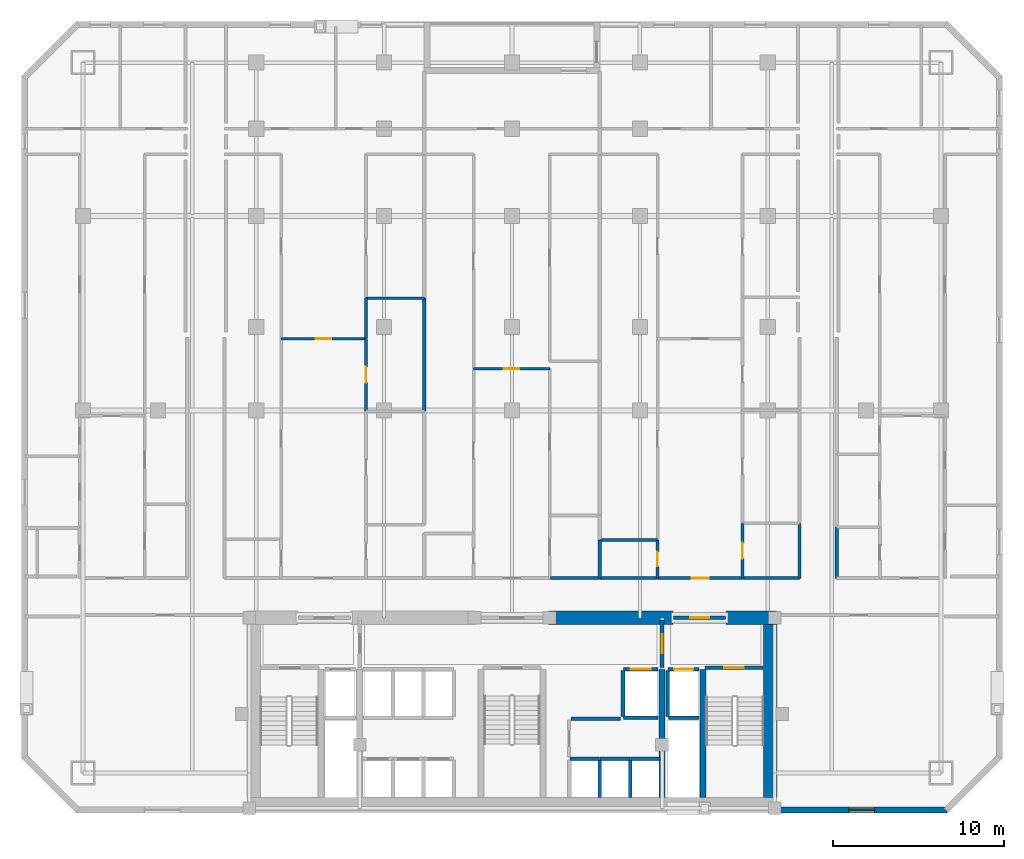
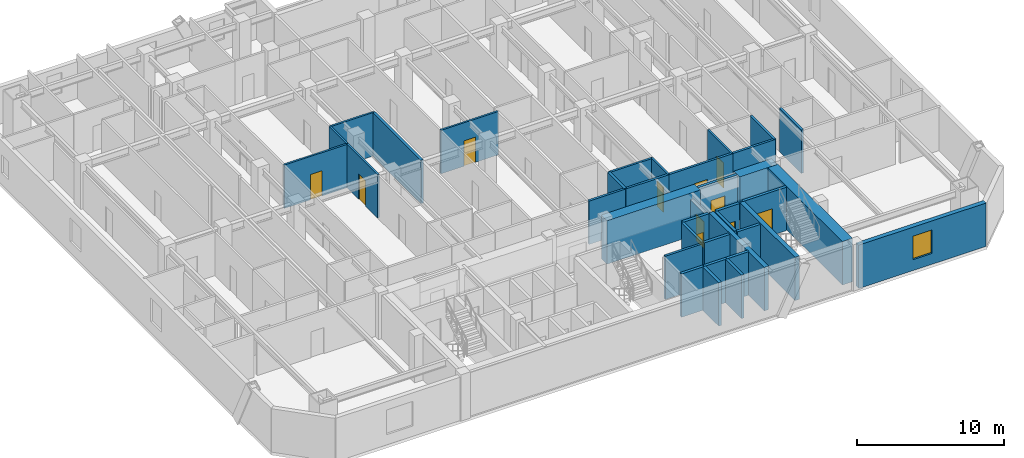
# One storey, part 5 of 10: 37 walls, 11 doors, 1 window, 12 openings.
"""IFC4 building model written with IfcOpenShell, lengths in metres."""

from ifc_helpers import new_model, si_unit, direction, frame, frame_2d, origin, place, context, subcontext, project, spatial, rectangle, extrude, material, layer, layer_set, type_object, element, fill, save


model = new_model("IFC4")

# Units and contexts
model_context = context("Model", 3, precision=1e-05, world=origin(), true_north=direction((0.0, 1.0)))
body_context = subcontext(model_context, "Body", "Model", "MODEL_VIEW")
ifc_project = project(units=[si_unit("LENGTHUNIT", "METRE"), si_unit("AREAUNIT", "SQUARE_METRE"), si_unit("VOLUMEUNIT", "CUBIC_METRE"), si_unit("PLANEANGLEUNIT", "RADIAN"), si_unit("MASSUNIT", "GRAM", prefix="KILO")], contexts=[model_context])

# Site, building, storey
site_placement = place(None, origin())
site = spatial("IfcSite", under=ifc_project, at=site_placement, CompositionType="ELEMENT")
building_placement = place(site_placement, origin())
building = spatial("IfcBuilding", under=site, at=building_placement, Name="Ventersveld Concourse Tower", CompositionType="ELEMENT")
storey_placement = place(building_placement, frame((0.0, 0.0, 49.050048828125)))
storey = spatial("IfcBuildingStorey", under=building, at=storey_placement, Name="L11", CompositionType="ELEMENT", Elevation=49.050048828125)

# Walls
ifc_material_1 = material(Name="Concrete C60/75", Category="concrete")
ifc_layer_1 = layer(ifc_material_1, 0.35009765625)
ifc_layer_set_1 = layer_set([ifc_layer_1], Name="Concrete C60/75")
wall_type_1 = type_object("IfcWallType", Name="WL-CORE-350L", PredefinedType="SHEAR", material=ifc_layer_set_1)
for number, where, z_axis, x_axis, name in (
    (1, (37.550048828125, 0.919921875, 0.0), (0.0, 0.0, 1.0), (0.0, 1.0, 0.0), "L11 Core Internal Shear Web W-SVL-W"),
    (2, (39.9599609375, 0.919921875, 0.0), (0.0, 0.0, 1.0), (0.0, 1.0, 0.0), "L11 Core Internal Shear Web W-ST2-W"),
):
    element("IfcWall", number, at=place(storey_placement, frame(where, z_axis=z_axis, x_axis=x_axis)), inside=storey, type_object=wall_type_1, Name=name, PredefinedType="SHEAR", context=body_context, shape_type="SweptSolid", body=[
        extrude(rectangle(XDim=7.5, YDim=0.35009765625, at=frame_2d((3.75, 0.0))), origin(), (0.0, 0.0, 1.0), 3.599853515625),
    ])
ifc_layer_2 = layer(ifc_material_1, 0.800048828125)
ifc_layer_set_2 = layer_set([ifc_layer_2], Name="Concrete C60/75")
wall_type_2 = type_object("IfcWallType", Name="WL-CORE-800", PredefinedType="SHEAR", material=ifc_layer_set_2)
wall_1_placement = place(storey_placement, frame((43.89990234375, 0.919921875, 0.0), z_axis=(0.0, 0.0, 1.0), x_axis=(0.0, 1.0, 0.0)))
element("IfcWall", 3, at=wall_1_placement, inside=storey, type_object=wall_type_2, Name="L11 Rear Core East Shear Wall", PredefinedType="SHEAR", context=body_context, shape_type="SweptSolid", body=[
    extrude(rectangle(XDim=10.530029296875, YDim=0.800048828125, at=frame_2d((5.26513671875, 0.0))), origin(), (0.0, 0.0, 1.0), 3.599853515625),
])
wall_2_placement = place(storey_placement, frame((30.89990234375, 11.449951171875, 0.0), z_axis=(0.0, 0.0, 1.0), x_axis=(1.0, 0.0, 0.0)))
element("IfcWall", 4, at=wall_2_placement, inside=storey, type_object=wall_type_2, Name="L11 Rear Core North Shear Wall NMR", PredefinedType="SHEAR", context=body_context, shape_type="SweptSolid", body=[
    extrude(rectangle(XDim=7.300048828125, YDim=0.800048828125, at=frame_2d((3.64990234375, 0.0))), origin(), (0.0, 0.0, 1.0), 3.599853515625),
])
wall_3_placement = place(storey_placement, frame((41.300048828125, 11.449951171875, 0.0), z_axis=(0.0, 0.0, 1.0), x_axis=(1.0, 0.0, 0.0)))
element("IfcWall", 5, at=wall_3_placement, inside=storey, type_object=wall_type_2, Name="L11 Rear Core North Shear Wall NE", PredefinedType="SHEAR", context=body_context, shape_type="SweptSolid", body=[
    extrude(rectangle(XDim=2.949951171875, YDim=0.800048828125, at=frame_2d((1.47509765625, 0.0))), origin(), (0.0, 0.0, 1.0), 3.599853515625),
])
ifc_material_2 = material(Name="Fire-rated autoclaved aerated masonry blockwork", Category="masonry")
ifc_layer_3 = layer(ifc_material_2, 0.179931640625)
ifc_layer_set_3 = layer_set([ifc_layer_3], Name="Fire-rated autoclaved aerated masonry blockwork")
wall_type_3 = type_object("IfcWallType", Name="WL-CORR-180", PredefinedType="PARTITIONING", material=ifc_layer_set_3)
wall_4_placement = place(storey_placement, frame((32.219970703125, 5.530029296875, 0.0), z_axis=(0.0, 0.0, 1.0), x_axis=(1.0, 0.0, 0.0)))
element("IfcWall", 6, at=wall_4_placement, inside=storey, type_object=wall_type_3, Name="L11 Core Top Wall SP-L11-CBAY2", PredefinedType="PARTITIONING", context=body_context, shape_type="SweptSolid", body=[
    extrude(rectangle(XDim=2.900146484375, YDim=0.179931640625, at=frame_2d((1.4501953125, 0.0))), origin(), (0.0, 0.0, 1.0), 3.599853515625),
])
wall_5_placement = place(storey_placement, frame((47.7900390625, 13.764892578125, 0.0), z_axis=(0.0, 0.0, 1.0), x_axis=(0.0, 1.0, 0.0)))
element("IfcWall", 7, at=wall_5_placement, inside=storey, type_object=wall_type_3, Name="L11 Interior Partition SP-L11-COR-SP-L11-11NE-BATH", PredefinedType="PARTITIONING", context=body_context, shape_type="SweptSolid", body=[
    extrude(rectangle(XDim=2.999755859375, YDim=0.179931640625, at=frame_2d((1.5, 0.0))), origin(), (0.0, 0.0, 1.0), 3.599853515625),
])

# Wall, opening, door
wall_6_placement = place(storey_placement, frame((37.279052734375, 13.77001953125, 0.0), z_axis=(0.0, 0.0, 1.0), x_axis=(1.0, 0.0, 0.0)))
wall_6 = element("IfcWall", 8, at=wall_6_placement, inside=storey, type_object=wall_type_3, Name="L11 Interior Partition SP-L11-COR-SP-L11-11CE-FOY", PredefinedType="PARTITIONING", context=body_context, shape_type="SweptSolid", body=[
    extrude(rectangle(XDim=4.989990234375, YDim=0.179931640625, at=frame_2d((2.4951171875, 0.0))), origin(), (0.0, 0.0, 1.0), 3.599853515625),
])
opening_1_placement = place(wall_6_placement, frame((1.9951171875, 0.0, 0.0)))
opening_1 = element("IfcOpeningElement", 9, at=opening_1_placement, cuts=wall_6, Name="Opening FD3", PredefinedType="OPENING", context=body_context, shape_type="SweptSolid", body=[
    extrude(rectangle(XDim=1.0, YDim=2.14990234375, at=frame_2d((0.5, 1.074951171875))), frame((0.0, 0.10009765625, 0.0), z_axis=(0.0, -1.0, 0.0), x_axis=(1.0, 0.0, 0.0)), (0.0, 0.0, 1.0), 0.199951171875),
])
ifc_material_3 = material(Name="Solid-core hardwood veneer timber", Category="wood")
door_type_1 = type_object("IfcDoorType", Name="DR-FLAT-100", OperationType="NOTDEFINED", PredefinedType="DOOR", material=ifc_material_3)
door_1_placement = place(opening_1_placement, origin())
door_1 = element("IfcDoor", 10, at=door_1_placement, inside=storey, type_object=door_type_1, Name="L11 Interior Door SP-L11-COR to SP-L11-11CE-FOY (FD-L11-0425)", OperationType="SINGLE_SWING_LEFT", OverallHeight=2.14990234375, OverallWidth=1.0, PredefinedType="DOOR", context=body_context, shape_type="SweptSolid", body=[
    extrude(rectangle(XDim=1.0, YDim=2.14990234375, at=frame_2d((0.5, 1.074951171875))), frame((0.0, 0.02490234375, 0.0), z_axis=(0.0, -1.0, 0.0), x_axis=(1.0, 0.0, 0.0)), (0.0, 0.0, 1.0), 0.050048828125),
])
fill(opening_1, door_1)

# Walls
wall_7_placement = place(storey_placement, frame((33.885009765625, 13.77001953125, 0.0), z_axis=(0.0, 0.0, 1.0), x_axis=(1.0, 0.0, 0.0)))
element("IfcWall", 11, at=wall_7_placement, inside=storey, type_object=wall_type_3, Name="L11 Interior Partition SP-L11-COR-SP-L11-11CE-BATH", PredefinedType="PARTITIONING", context=body_context, shape_type="SweptSolid", body=[
    extrude(rectangle(XDim=3.364013671875, YDim=0.179931640625, at=frame_2d((1.68212890625, 0.0))), origin(), (0.0, 0.0, 1.0), 3.599853515625),
])
wall_8_placement = place(storey_placement, frame((42.299072265625, 13.77001953125, 0.0), z_axis=(0.0, 0.0, 1.0), x_axis=(1.0, 0.0, 0.0)))
element("IfcWall", 12, at=wall_8_placement, inside=storey, type_object=wall_type_3, Name="L11 Interior Partition SP-L11-COR-SP-L11-11CE-KIT", PredefinedType="PARTITIONING", context=body_context, shape_type="SweptSolid", body=[
    extrude(rectangle(XDim=3.31591796875, YDim=0.179931640625, at=frame_2d((1.657958984375, 0.0))), origin(), (0.0, 0.0, 1.0), 3.599853515625),
])
wall_9_placement = place(storey_placement, frame((45.610107421875, 13.764892578125, 0.0), z_axis=(0.0, 0.0, 1.0), x_axis=(0.0, 1.0, 0.0)))
element("IfcWall", 13, at=wall_9_placement, inside=storey, type_object=wall_type_3, Name="L11 Interior Partition SP-L11-COR-SP-L11-11CE-KIT", PredefinedType="PARTITIONING", context=body_context, shape_type="SweptSolid", body=[
    extrude(rectangle(XDim=3.222412109375, YDim=0.179931640625, at=frame_2d((1.611328125, 0.0))), origin(), (0.0, 0.0, 1.0), 3.599853515625),
])
wall_10_placement = place(storey_placement, frame((30.9970703125, 13.77001953125, 0.0), z_axis=(0.0, 0.0, 1.0), x_axis=(1.0, 0.0, 0.0)))
element("IfcWall", 14, at=wall_10_placement, inside=storey, type_object=wall_type_3, Name="L11 Interior Partition SP-L11-COR-SP-L11-11CM-KIT", PredefinedType="PARTITIONING", context=body_context, shape_type="SweptSolid", body=[
    extrude(rectangle(XDim=2.85791015625, YDim=0.179931640625, at=frame_2d((1.428955078125, 0.0))), origin(), (0.0, 0.0, 1.0), 3.599853515625),
])
ifc_layer_4 = layer(ifc_material_2, 0.199951171875)
ifc_layer_set_4 = layer_set([ifc_layer_4], Name="Fire-rated autoclaved aerated masonry blockwork")
wall_type_4 = type_object("IfcWallType", Name="WL-DEMISE-200", PredefinedType="PARTITIONING", material=ifc_layer_set_4)
wall_11_placement = place(storey_placement, frame((23.610107421875, 23.582763671875, 0.0), z_axis=(0.0, 0.0, 1.0), x_axis=(0.0, 1.0, 0.0)))
element("IfcWall", 15, at=wall_11_placement, inside=storey, type_object=wall_type_4, Name="L11 Interior Partition SP-L11-11CW-DENS-SP-L11-11CM-DENL", PredefinedType="PARTITIONING", context=body_context, shape_type="SweptSolid", body=[
    extrude(rectangle(XDim=6.602783203125, YDim=0.199951171875, at=frame_2d((3.30126953125, 0.0))), origin(), (0.0, 0.0, 1.0), 3.599853515625),
])
wall_12_placement = place(storey_placement, frame((33.889892578125, 13.764892578125, 0.0), z_axis=(0.0, 0.0, 1.0), x_axis=(0.0, 1.0, 0.0)))
element("IfcWall", 16, at=wall_12_placement, inside=storey, type_object=wall_type_4, Name="L11 Interior Partition SP-L11-11CE-BATH-SP-L11-11CM-KIT", PredefinedType="PARTITIONING", context=body_context, shape_type="SweptSolid", body=[
    extrude(rectangle(XDim=2.24365234375, YDim=0.199951171875, at=frame_2d((1.121826171875, 0.0))), origin(), (0.0, 0.0, 1.0), 3.599853515625),
])
ifc_layer_5 = layer(ifc_material_2, 0.219970703125)
ifc_layer_set_5 = layer_set([ifc_layer_5], Name="Fire-rated autoclaved aerated masonry blockwork")
wall_type_5 = type_object("IfcWallType", Name="WL-HOIST-220", PredefinedType="SOLIDWALL", material=ifc_layer_set_5)
wall_13_placement = place(storey_placement, frame((37.919921875, 5.590087890625, 0.0), z_axis=(0.0, 0.0, 1.0), x_axis=(1.0, 0.0, 0.0)))
element("IfcWall", 17, at=wall_13_placement, inside=storey, type_object=wall_type_5, Name="L11 Lift Hoistway Back Wall FFL-02", PredefinedType="SOLIDWALL", context=body_context, shape_type="SweptSolid", body=[
    extrude(rectangle(XDim=1.780029296875, YDim=0.219970703125, at=frame_2d((0.89013671875, 0.0))), origin(), (0.0, 0.0, 1.0), 3.599853515625),
])
wall_14_placement = place(storey_placement, frame((37.8798828125, 5.64990234375, 0.0), z_axis=(0.0, 0.0, 1.0), x_axis=(0.0, 1.0, 0.0)))
element("IfcWall", 18, at=wall_14_placement, inside=storey, type_object=wall_type_5, Name="L11 Lift Hoistway Side Wall FFL-02W", PredefinedType="SOLIDWALL", context=body_context, shape_type="SweptSolid", body=[
    extrude(rectangle(XDim=2.7001953125, YDim=0.219970703125, at=frame_2d((1.35009765625, 0.0))), origin(), (0.0, 0.0, 1.0), 3.599853515625),
])

# Wall, opening, door
wall_15_placement = place(storey_placement, frame((37.89990234375, 8.429931640625, 0.0), z_axis=(0.0, 0.0, 1.0), x_axis=(1.0, 0.0, 0.0)))
wall_15 = element("IfcWall", 19, at=wall_15_placement, inside=storey, type_object=wall_type_5, Name="L11 Lift Hoistway Front Wall FFL-02", PredefinedType="SOLIDWALL", context=body_context, shape_type="SweptSolid", body=[
    extrude(rectangle(XDim=1.820068359375, YDim=0.219970703125, at=frame_2d((0.91015625, 0.0))), origin(), (0.0, 0.0, 1.0), 3.599853515625),
])
opening_2_placement = place(wall_15_placement, frame((0.35009765625, 0.0, 0.0)))
opening_2 = element("IfcOpeningElement", 20, at=opening_2_placement, cuts=wall_15, Name="Opening LD1", PredefinedType="OPENING", context=body_context, shape_type="SweptSolid", body=[
    extrude(rectangle(XDim=1.1201171875, YDim=2.25, at=frame_2d((0.56005859375, 1.125))), frame((0.0, 0.1201171875, 0.0), z_axis=(0.0, -1.0, 0.0), x_axis=(1.0, 0.0, 0.0)), (0.0, 0.0, 1.0), 0.239990234375),
])
ifc_material_4 = material(Name="Brushed stainless steel 316", Category="steel")
door_type_2 = type_object("IfcDoorType", Name="LD-FF-112", OperationType="SLIDING_TO_LEFT", PredefinedType="DOOR", material=ifc_material_4)
door_2_placement = place(opening_2_placement, origin())
door_2 = element("IfcDoor", 21, at=door_2_placement, inside=storey, type_object=door_type_2, Name="L11 Lift landing door FFL-02 (LD-L11-FFL-02)", OperationType="SLIDING_TO_RIGHT", OverallHeight=2.25, OverallWidth=1.1201171875, PredefinedType="DOOR", context=body_context, shape_type="SweptSolid", body=[
    extrude(rectangle(XDim=1.1201171875, YDim=2.25, at=frame_2d((0.56005859375, 1.125))), frame((0.0, 0.02490234375, 0.0), z_axis=(0.0, -1.0, 0.0), x_axis=(1.0, 0.0, 0.0)), (0.0, 0.0, 1.0), 0.050048828125),
])
fill(opening_2, door_2)

# Walls
wall_16_placement = place(storey_placement, frame((35.300048828125, 5.590087890625, 0.0), z_axis=(0.0, 0.0, 1.0), x_axis=(1.0, 0.0, 0.0)))
element("IfcWall", 22, at=wall_16_placement, inside=storey, type_object=wall_type_5, Name="L11 Lift Hoistway Back Wall SVL-01", PredefinedType="SOLIDWALL", context=body_context, shape_type="SweptSolid", body=[
    extrude(rectangle(XDim=2.0, YDim=0.219970703125, at=frame_2d((1.0, 0.0))), origin(), (0.0, 0.0, 1.0), 3.599853515625),
])
wall_17_placement = place(storey_placement, frame((35.260009765625, 5.64990234375, 0.0), z_axis=(0.0, 0.0, 1.0), x_axis=(0.0, 1.0, 0.0)))
element("IfcWall", 23, at=wall_17_placement, inside=storey, type_object=wall_type_5, Name="L11 Lift Hoistway Side Wall SVL-01W", PredefinedType="SOLIDWALL", context=body_context, shape_type="SweptSolid", body=[
    extrude(rectangle(XDim=2.7001953125, YDim=0.219970703125, at=frame_2d((1.35009765625, 0.0))), origin(), (0.0, 0.0, 1.0), 3.599853515625),
])

# Wall, opening, door
wall_18_placement = place(storey_placement, frame((35.280029296875, 8.429931640625, 0.0), z_axis=(0.0, 0.0, 1.0), x_axis=(1.0, 0.0, 0.0)))
wall_18 = element("IfcWall", 24, at=wall_18_placement, inside=storey, type_object=wall_type_5, Name="L11 Lift Hoistway Front Wall SVL-01", PredefinedType="SOLIDWALL", context=body_context, shape_type="SweptSolid", body=[
    extrude(rectangle(XDim=2.0400390625, YDim=0.219970703125, at=frame_2d((1.02001953125, 0.0))), origin(), (0.0, 0.0, 1.0), 3.599853515625),
])
opening_3_placement = place(wall_18_placement, frame((0.429931640625, 0.0, 0.0)))
opening_3 = element("IfcOpeningElement", 25, at=opening_3_placement, cuts=wall_18, Name="Opening LD2", PredefinedType="OPENING", context=body_context, shape_type="SweptSolid", body=[
    extrude(rectangle(XDim=1.179931640625, YDim=2.199951171875, at=frame_2d((0.58984375, 1.10009765625))), frame((0.0, 0.1201171875, 0.0), z_axis=(0.0, -1.0, 0.0), x_axis=(1.0, 0.0, 0.0)), (0.0, 0.0, 1.0), 0.239990234375),
])
door_type_3 = type_object("IfcDoorType", Name="LD-PAX-118", OperationType="SLIDING_TO_LEFT", PredefinedType="DOOR", material=ifc_material_4)
door_3_placement = place(opening_3_placement, origin())
door_3 = element("IfcDoor", 26, at=door_3_placement, inside=storey, type_object=door_type_3, Name="L11 Lift landing door SVL-01 (LD-L11-SVL-01)", OperationType="SLIDING_TO_LEFT", OverallHeight=2.199951171875, OverallWidth=1.179931640625, PredefinedType="DOOR", context=body_context, shape_type="SweptSolid", body=[
    extrude(rectangle(XDim=1.179931640625, YDim=2.199951171875, at=frame_2d((0.58984375, 1.10009765625))), frame((0.0, 0.02490234375, 0.0), z_axis=(0.0, -1.0, 0.0), x_axis=(1.0, 0.0, 0.0)), (0.0, 0.0, 1.0), 0.050048828125),
])
fill(opening_3, door_3)

# Walls
wall_19_placement = place(storey_placement, frame((33.89990234375, 0.89990234375, 0.0), z_axis=(0.0, 0.0, 1.0), x_axis=(0.0, 1.0, 0.0)))
element("IfcWall", 27, at=wall_19_placement, inside=storey, type_object=wall_type_5, Name="L11 Lift Hoistway Side Wall PM-01E", PredefinedType="SOLIDWALL", context=body_context, shape_type="SweptSolid", body=[
    extrude(rectangle(XDim=2.2001953125, YDim=0.219970703125, at=frame_2d((1.10009765625, 0.0))), origin(), (0.0, 0.0, 1.0), 3.599853515625),
])
wall_20_placement = place(storey_placement, frame((32.139892578125, 3.179931640625, 0.0), z_axis=(0.0, 0.0, 1.0), x_axis=(1.0, 0.0, 0.0)))
element("IfcWall", 28, at=wall_20_placement, inside=storey, type_object=wall_type_5, Name="L11 Lift Hoistway Front Wall PM-01", PredefinedType="SOLIDWALL", context=body_context, shape_type="SweptSolid", body=[
    extrude(rectangle(XDim=1.739990234375, YDim=0.219970703125, at=frame_2d((0.8701171875, 0.0))), origin(), (0.0, 0.0, 1.0), 3.599853515625),
])
wall_21_placement = place(storey_placement, frame((35.679931640625, 0.89990234375, 0.0), z_axis=(0.0, 0.0, 1.0), x_axis=(0.0, 1.0, 0.0)))
element("IfcWall", 29, at=wall_21_placement, inside=storey, type_object=wall_type_5, Name="L11 Lift Hoistway Side Wall PM-02E", PredefinedType="SOLIDWALL", context=body_context, shape_type="SweptSolid", body=[
    extrude(rectangle(XDim=2.2001953125, YDim=0.219970703125, at=frame_2d((1.10009765625, 0.0))), origin(), (0.0, 0.0, 1.0), 3.599853515625),
])
for number, where, z_axis, x_axis, name in (
    (30, (33.919921875, 3.179931640625, 0.0), (0.0, 0.0, 1.0), (1.0, 0.0, 0.0), "L11 Lift Hoistway Front Wall PM-02"),
    (31, (35.699951171875, 3.179931640625, 0.0), (0.0, 0.0, 1.0), (1.0, 0.0, 0.0), "L11 Lift Hoistway Front Wall PM-03"),
):
    element("IfcWall", number, at=place(storey_placement, frame(where, z_axis=z_axis, x_axis=x_axis)), inside=storey, type_object=wall_type_5, Name=name, PredefinedType="SOLIDWALL", context=body_context, shape_type="SweptSolid", body=[
        extrude(rectangle(XDim=1.739990234375, YDim=0.219970703125, at=frame_2d((0.8701171875, 0.0))), origin(), (0.0, 0.0, 1.0), 3.599853515625),
    ])

# Wall, opening, door
wall_22_placement = place(storey_placement, frame((40.06005859375, 8.52001953125, 0.0), z_axis=(0.0, 0.0, 1.0), x_axis=(1.0, 0.0, 0.0)))
wall_22 = element("IfcWall", 32, at=wall_22_placement, inside=storey, type_object=wall_type_5, Name="L11 Escape Stair ST02 Fire Wall", PredefinedType="SOLIDWALL", context=body_context, shape_type="SweptSolid", body=[
    extrude(rectangle(XDim=3.39990234375, YDim=0.219970703125, at=frame_2d((1.699951171875, 0.0))), origin(), (0.0, 0.0, 1.0), 3.599853515625),
])
opening_4_placement = place(wall_22_placement, frame((1.125, 0.0, 0.0)))
opening_4 = element("IfcOpeningElement", 33, at=opening_4_placement, cuts=wall_22, Name="Opening FD1", PredefinedType="OPENING", context=body_context, shape_type="SweptSolid", body=[
    extrude(rectangle(XDim=1.14990234375, YDim=2.199951171875, at=frame_2d((0.574951171875, 1.10009765625))), frame((0.0, 0.1201171875, 0.0), z_axis=(0.0, -1.0, 0.0), x_axis=(1.0, 0.0, 0.0)), (0.0, 0.0, 1.0), 0.239990234375),
])
ifc_material_5 = material(Name="Galvanised painted steel", Category="steel")
door_type_4 = type_object("IfcDoorType", Name="DR-STAIR-115", OperationType="NOTDEFINED", PredefinedType="DOOR", material=ifc_material_5)
door_4_placement = place(opening_4_placement, origin())
door_4 = element("IfcDoor", 34, at=door_4_placement, inside=storey, type_object=door_type_4, Name="L11 Escape Stair Door ST02 (SD-L11-0412)", OperationType="SINGLE_SWING_RIGHT", OverallHeight=2.199951171875, OverallWidth=1.14990234375, PredefinedType="DOOR", context=body_context, shape_type="SweptSolid", body=[
    extrude(rectangle(XDim=1.14990234375, YDim=2.199951171875, at=frame_2d((0.574951171875, 1.10009765625))), frame((0.0, 0.02490234375, 0.0), z_axis=(0.0, -1.0, 0.0), x_axis=(1.0, 0.0, 0.0)), (0.0, 0.0, 1.0), 0.050048828125),
])
fill(opening_4, door_4)

wall_23_placement = place(storey_placement, frame((37.550048828125, 8.52001953125, 0.0), z_axis=(0.0, 0.0, 1.0), x_axis=(0.0, 1.0, 0.0)))
wall_23 = element("IfcWall", 35, at=wall_23_placement, inside=storey, type_object=wall_type_5, Name="L11 Firefighting Lobby Smoke-Stop Wall FFLE-SEP", PredefinedType="SOLIDWALL", context=body_context, shape_type="SweptSolid", body=[
    extrude(rectangle(XDim=2.800048828125, YDim=0.219970703125, at=frame_2d((1.39990234375, 0.0))), origin(), (0.0, 0.0, 1.0), 3.055419921875),
])
opening_5_placement = place(wall_23_placement, frame((0.85009765625, 0.0, 0.0)))
opening_5 = element("IfcOpeningElement", 36, at=opening_5_placement, cuts=wall_23, Name="Opening FD2", PredefinedType="OPENING", context=body_context, shape_type="SweptSolid", body=[
    extrude(rectangle(XDim=1.10009765625, YDim=2.199951171875, at=frame_2d((0.550048828125, 1.10009765625))), frame((0.0, 0.1201171875, 0.0), z_axis=(0.0, -1.0, 0.0), x_axis=(1.0, 0.0, 0.0)), (0.0, 0.0, 1.0), 0.239990234375),
])
door_type_5 = type_object("IfcDoorType", Name="DR-FFL-110", OperationType="NOTDEFINED", PredefinedType="DOOR", material=ifc_material_5)
door_5_placement = place(opening_5_placement, origin())
door_5 = element("IfcDoor", 37, at=door_5_placement, inside=storey, type_object=door_type_5, Name="L11 Firefighting Lobby Door FFLE-SEP (FD-L11-0415)", OperationType="SINGLE_SWING_RIGHT", OverallHeight=2.199951171875, OverallWidth=1.10009765625, PredefinedType="DOOR", context=body_context, shape_type="SweptSolid", body=[
    extrude(rectangle(XDim=1.10009765625, YDim=2.199951171875, at=frame_2d((0.550048828125, 1.10009765625))), frame((0.0, 0.02490234375, 0.0), z_axis=(0.0, -1.0, 0.0), x_axis=(1.0, 0.0, 0.0)), (0.0, 0.0, 1.0), 0.050048828125),
])
fill(opening_5, door_5)

wall_24_placement = place(storey_placement, frame((38.22998046875, 11.449951171875, 0.0), z_axis=(0.0, 0.0, 1.0), x_axis=(1.0, 0.0, 0.0)))
wall_24 = element("IfcWall", 38, at=wall_24_placement, inside=storey, type_object=wall_type_5, Name="L11 Core North Fire Portal FFLE-OUT", PredefinedType="SOLIDWALL", context=body_context, shape_type="SweptSolid", body=[
    extrude(rectangle(XDim=3.0400390625, YDim=0.219970703125, at=frame_2d((1.52001953125, 0.0))), origin(), (0.0, 0.0, 1.0), 3.599853515625),
])
opening_6_placement = place(wall_24_placement, frame((0.969970703125, 0.0, 0.0)))
opening_6 = element("IfcOpeningElement", 39, at=opening_6_placement, cuts=wall_24, Name="Opening FD2", PredefinedType="OPENING", context=body_context, shape_type="SweptSolid", body=[
    extrude(rectangle(XDim=1.10009765625, YDim=2.199951171875, at=frame_2d((0.550048828125, 1.10009765625))), frame((0.0, 0.1201171875, 0.0), z_axis=(0.0, -1.0, 0.0), x_axis=(1.0, 0.0, 0.0)), (0.0, 0.0, 1.0), 0.239990234375),
])
door_6_placement = place(opening_6_placement, origin())
door_6 = element("IfcDoor", 40, at=door_6_placement, inside=storey, type_object=door_type_5, Name="L11 Core Lobby Fire Door FFLE-OUT (FD-L11-0418)", OperationType="SINGLE_SWING_LEFT", OverallHeight=2.199951171875, OverallWidth=1.10009765625, PredefinedType="DOOR", context=body_context, shape_type="SweptSolid", body=[
    extrude(rectangle(XDim=1.10009765625, YDim=2.199951171875, at=frame_2d((0.550048828125, 1.10009765625))), frame((0.0, 0.02490234375, 0.0), z_axis=(0.0, -1.0, 0.0), x_axis=(1.0, 0.0, 0.0)), (0.0, 0.0, 1.0), 0.050048828125),
])
fill(opening_6, door_6)

ifc_material_6 = material(Name="Autoclaved aerated masonry blockwork", Category="masonry")
ifc_layer_6 = layer(ifc_material_6, 0.14990234375)
ifc_layer_set_6 = layer_set([ifc_layer_6], Name="Autoclaved aerated masonry blockwork")
wall_type_6 = type_object("IfcWallType", Name="WL-INT-150", PredefinedType="PARTITIONING", material=ifc_layer_set_6)
wall_25_placement = place(storey_placement, frame((15.20703125, 27.806884765625, 0.0), z_axis=(0.0, 0.0, 1.0), x_axis=(1.0, 0.0, 0.0)))
wall_25 = element("IfcWall", 41, at=wall_25_placement, inside=storey, type_object=wall_type_6, Name="L11 Interior Partition SP-L11-11CW-FOY-SP-L11-11CW-LIV", PredefinedType="PARTITIONING", context=body_context, shape_type="SweptSolid", body=[
    extrude(rectangle(XDim=4.989990234375, YDim=0.14990234375, at=frame_2d((2.4951171875, 0.0))), origin(), (0.0, 0.0, 1.0), 3.599853515625),
])
opening_7_placement = place(wall_25_placement, frame((2.034912109375, 0.0, 0.0)))
opening_7 = element("IfcOpeningElement", 42, at=opening_7_placement, cuts=wall_25, Name="Opening ID1", PredefinedType="OPENING", context=body_context, shape_type="SweptSolid", body=[
    extrude(rectangle(XDim=0.919921875, YDim=2.10009765625, at=frame_2d((0.4599609375, 1.050048828125))), frame((0.0, 0.0849609375, 0.0), z_axis=(0.0, -1.0, 0.0), x_axis=(1.0, 0.0, 0.0)), (0.0, 0.0, 1.0), 0.169921875),
])
door_type_6 = type_object("IfcDoorType", Name="DR-ROOM-092", OperationType="NOTDEFINED", PredefinedType="DOOR", material=ifc_material_3)
door_7_placement = place(opening_7_placement, origin())
door_7 = element("IfcDoor", 43, at=door_7_placement, inside=storey, type_object=door_type_6, Name="L11 Interior Door SP-L11-11CW-FOY to SP-L11-11CW-LIV (D-L11-0447)", OperationType="SINGLE_SWING_LEFT", OverallHeight=2.10009765625, OverallWidth=0.919921875, PredefinedType="DOOR", context=body_context, shape_type="SweptSolid", body=[
    extrude(rectangle(XDim=0.919921875, YDim=2.10009765625, at=frame_2d((0.4599609375, 1.050048828125))), frame((0.0, 0.02490234375, 0.0), z_axis=(0.0, -1.0, 0.0), x_axis=(1.0, 0.0, 0.0)), (0.0, 0.0, 1.0), 0.050048828125),
])
fill(opening_7, door_7)

wall_26_placement = place(storey_placement, frame((20.19189453125, 23.582763671875, 0.0), z_axis=(0.0, 0.0, 1.0), x_axis=(0.0, 1.0, 0.0)))
wall_26 = element("IfcWall", 44, at=wall_26_placement, inside=storey, type_object=wall_type_6, Name="L11 Interior Partition SP-L11-11CW-FOY-SP-L11-11CW-DENS", PredefinedType="PARTITIONING", context=body_context, shape_type="SweptSolid", body=[
    extrude(rectangle(XDim=4.22900390625, YDim=0.14990234375, at=frame_2d((2.114501953125, 0.0))), origin(), (0.0, 0.0, 1.0), 3.599853515625),
])
opening_8_placement = place(wall_26_placement, frame((1.654541015625, 0.0, 0.0)))
opening_8 = element("IfcOpeningElement", 45, at=opening_8_placement, cuts=wall_26, Name="Opening ID1", PredefinedType="OPENING", context=body_context, shape_type="SweptSolid", body=[
    extrude(rectangle(XDim=0.919921875, YDim=2.10009765625, at=frame_2d((0.4599609375, 1.050048828125))), frame((0.0, 0.0849609375, 0.0), z_axis=(0.0, -1.0, 0.0), x_axis=(1.0, 0.0, 0.0)), (0.0, 0.0, 1.0), 0.169921875),
])
door_8_placement = place(opening_8_placement, origin())
door_8 = element("IfcDoor", 46, at=door_8_placement, inside=storey, type_object=door_type_6, Name="L11 Interior Door SP-L11-11CW-FOY to SP-L11-11CW-DENS (D-L11-0452)", OperationType="SINGLE_SWING_RIGHT", OverallHeight=2.10009765625, OverallWidth=0.919921875, PredefinedType="DOOR", context=body_context, shape_type="SweptSolid", body=[
    extrude(rectangle(XDim=0.919921875, YDim=2.10009765625, at=frame_2d((0.4599609375, 1.050048828125))), frame((0.0, 0.02490234375, 0.0), z_axis=(0.0, -1.0, 0.0), x_axis=(1.0, 0.0, 0.0)), (0.0, 0.0, 1.0), 0.050048828125),
])
fill(opening_8, door_8)

# Walls
wall_27_placement = place(storey_placement, frame((20.19189453125, 27.841796875, 0.0), z_axis=(0.0, 0.0, 1.0), x_axis=(0.0, 1.0, 0.0)))
element("IfcWall", 47, at=wall_27_placement, inside=storey, type_object=wall_type_6, Name="L11 Interior Partition SP-L11-11CW-LIV-SP-L11-11CW-DENS", PredefinedType="PARTITIONING", context=body_context, shape_type="SweptSolid", body=[
    extrude(rectangle(XDim=2.34375, YDim=0.14990234375, at=frame_2d((1.171875, 0.0))), origin(), (0.0, 0.0, 1.0), 3.599853515625),
])
wall_28_placement = place(storey_placement, frame((20.18701171875, 30.1806640625, 0.0), z_axis=(0.0, 0.0, 1.0), x_axis=(1.0, 0.0, 0.0)))
element("IfcWall", 48, at=wall_28_placement, inside=storey, type_object=wall_type_6, Name="L11 Interior Partition SP-L11-11CW-DENS-SP-L11-11CW-DENS2", PredefinedType="PARTITIONING", context=body_context, shape_type="SweptSolid", body=[
    extrude(rectangle(XDim=3.427978515625, YDim=0.14990234375, at=frame_2d((1.7138671875, 0.0))), origin(), (0.0, 0.0, 1.0), 3.599853515625),
])

# Wall, opening, door
wall_29_placement = place(storey_placement, frame((42.263916015625, 13.764892578125, 0.0), z_axis=(0.0, 0.0, 1.0), x_axis=(0.0, 1.0, 0.0)))
wall_29 = element("IfcWall", 49, at=wall_29_placement, inside=storey, type_object=wall_type_6, Name="L11 Interior Partition SP-L11-11CE-FOY-SP-L11-11CE-KIT", PredefinedType="PARTITIONING", context=body_context, shape_type="SweptSolid", body=[
    extrude(rectangle(XDim=3.222412109375, YDim=0.14990234375, at=frame_2d((1.611328125, 0.0))), origin(), (0.0, 0.0, 1.0), 3.599853515625),
])
opening_9_placement = place(wall_29_placement, frame((1.151123046875, 0.0, 0.0)))
opening_9 = element("IfcOpeningElement", 50, at=opening_9_placement, cuts=wall_29, Name="Opening ID1", PredefinedType="OPENING", context=body_context, shape_type="SweptSolid", body=[
    extrude(rectangle(XDim=0.919921875, YDim=2.10009765625, at=frame_2d((0.4599609375, 1.050048828125))), frame((0.0, 0.0849609375, 0.0), z_axis=(0.0, -1.0, 0.0), x_axis=(1.0, 0.0, 0.0)), (0.0, 0.0, 1.0), 0.169921875),
])
door_9_placement = place(opening_9_placement, origin())
door_9 = element("IfcDoor", 51, at=door_9_placement, inside=storey, type_object=door_type_6, Name="L11 Interior Door SP-L11-11CE-FOY to SP-L11-11CE-KIT (D-L11-0461)", OperationType="SINGLE_SWING_LEFT", OverallHeight=2.10009765625, OverallWidth=0.919921875, PredefinedType="DOOR", context=body_context, shape_type="SweptSolid", body=[
    extrude(rectangle(XDim=0.919921875, YDim=2.10009765625, at=frame_2d((0.4599609375, 1.050048828125))), frame((0.0, 0.02490234375, 0.0), z_axis=(0.0, -1.0, 0.0), x_axis=(1.0, 0.0, 0.0)), (0.0, 0.0, 1.0), 0.050048828125),
])
fill(opening_9, door_9)

wall_30_placement = place(storey_placement, frame((26.490966796875, 26.044921875, 0.0), z_axis=(0.0, 0.0, 1.0), x_axis=(1.0, 0.0, 0.0)))
wall_30 = element("IfcWall", 52, at=wall_30_placement, inside=storey, type_object=wall_type_6, Name="L11 Interior Partition SP-L11-11CM-FOY-SP-L11-11CM-LIV", PredefinedType="PARTITIONING", context=body_context, shape_type="SweptSolid", body=[
    extrude(rectangle(XDim=4.47607421875, YDim=0.14990234375, at=frame_2d((2.238037109375, 0.0))), origin(), (0.0, 0.0, 1.0), 3.599853515625),
])
opening_10_placement = place(wall_30_placement, frame((1.778076171875, 0.0, 0.0)))
opening_10 = element("IfcOpeningElement", 53, at=opening_10_placement, cuts=wall_30, Name="Opening ID1", PredefinedType="OPENING", context=body_context, shape_type="SweptSolid", body=[
    extrude(rectangle(XDim=0.919921875, YDim=2.10009765625, at=frame_2d((0.4599609375, 1.050048828125))), frame((0.0, 0.0849609375, 0.0), z_axis=(0.0, -1.0, 0.0), x_axis=(1.0, 0.0, 0.0)), (0.0, 0.0, 1.0), 0.169921875),
])
door_10_placement = place(opening_10_placement, origin())
door_10 = element("IfcDoor", 54, at=door_10_placement, inside=storey, type_object=door_type_6, Name="L11 Interior Door SP-L11-11CM-FOY to SP-L11-11CM-LIV (D-L11-0469)", OperationType="SINGLE_SWING_LEFT", OverallHeight=2.10009765625, OverallWidth=0.919921875, PredefinedType="DOOR", context=body_context, shape_type="SweptSolid", body=[
    extrude(rectangle(XDim=0.919921875, YDim=2.10009765625, at=frame_2d((0.4599609375, 1.050048828125))), frame((0.0, 0.02490234375, 0.0), z_axis=(0.0, -1.0, 0.0), x_axis=(1.0, 0.0, 0.0)), (0.0, 0.0, 1.0), 0.050048828125),
])
fill(opening_10, door_10)

# Wall, opening, window
ifc_material_7 = material(Name="Precast concrete C45/55", Category="concrete")
ifc_layer_7 = layer(ifc_material_7, 0.35009765625)
ifc_layer_set_7 = layer_set([ifc_layer_7], Name="Precast concrete C45/55")
wall_type_7 = type_object("IfcWallType", Name="WL-PREC-350", PredefinedType="SOLIDWALL", material=ifc_layer_set_7)
wall_31_placement = place(storey_placement, frame((44.25, 0.179931640625, 0.0), z_axis=(0.0, 0.0, 1.0), x_axis=(1.0, 0.0, 0.0)))
wall_31 = element("IfcWall", 55, at=wall_31_placement, inside=storey, type_object=wall_type_7, Name="L11 South-East Flank Precast Wall", PredefinedType="SOLIDWALL", context=body_context, shape_type="SweptSolid", body=[
    extrude(rectangle(XDim=10.010009765625, YDim=0.35009765625, at=frame_2d((5.0048828125, 0.0))), origin(), (0.0, 0.0, 1.0), 3.599853515625),
])
opening_11_placement = place(wall_31_placement, frame((4.2548828125, 0.0, 0.89990234375)))
opening_11 = element("IfcOpeningElement", 56, at=opening_11_placement, cuts=wall_31, Name="Opening W1", PredefinedType="OPENING", context=body_context, shape_type="SweptSolid", body=[
    extrude(rectangle(XDim=1.5, YDim=1.949951171875, at=frame_2d((0.75, 0.97509765625))), frame((0.0, 0.18505859375, 0.0), z_axis=(0.0, -1.0, 0.0), x_axis=(1.0, 0.0, 0.0)), (0.0, 0.0, 1.0), 0.3701171875),
])
ifc_material_8 = material(Name="Tempered acoustic Low-E IGU", Category="glass")
window_type = type_object("IfcWindowType", Name="WIN-150x210", PartitioningType="SINGLE_PANEL", PredefinedType="WINDOW", material=ifc_material_8)
window_placement = place(opening_11_placement, origin())
window = element("IfcWindow", 57, at=window_placement, inside=storey, type_object=window_type, Name="L11 Punched Low-E Window W-0062", OverallHeight=1.949951171875, OverallWidth=1.5, PartitioningType="SINGLE_PANEL", PredefinedType="WINDOW", context=body_context, shape_type="SweptSolid", body=[
    extrude(rectangle(XDim=1.5, YDim=1.949951171875, at=frame_2d((0.75, 0.97509765625))), frame((0.0, 0.030029296875, 0.0), z_axis=(0.0, -1.0, 0.0), x_axis=(1.0, 0.0, 0.0)), (0.0, 0.0, 1.0), 0.06005859375),
])
fill(opening_11, window)

# Wall, opening, door
ifc_layer_8 = layer(ifc_material_6, 0.1650390625)
ifc_layer_set_8 = layer_set([ifc_layer_8], Name="Autoclaved aerated masonry blockwork")
wall_type_8 = type_object("IfcWallType", Name="WL-WET-165", PredefinedType="PLUMBINGWALL", material=ifc_layer_set_8)
wall_32_placement = place(storey_placement, frame((37.283935546875, 13.764892578125, 0.0), z_axis=(0.0, 0.0, 1.0), x_axis=(0.0, 1.0, 0.0)))
wall_32 = element("IfcWall", 58, at=wall_32_placement, inside=storey, type_object=wall_type_8, Name="L11 Interior Partition SP-L11-11CE-FOY-SP-L11-11CE-BATH", PredefinedType="PLUMBINGWALL", context=body_context, shape_type="SweptSolid", body=[
    extrude(rectangle(XDim=2.24365234375, YDim=0.1650390625, at=frame_2d((1.121826171875, 0.0))), origin(), (0.0, 0.0, 1.0), 3.599853515625),
])
opening_12_placement = place(wall_32_placement, frame((0.69677734375, 0.0, 0.0)))
opening_12 = element("IfcOpeningElement", 59, at=opening_12_placement, cuts=wall_32, Name="Opening ID2", PredefinedType="OPENING", context=body_context, shape_type="SweptSolid", body=[
    extrude(rectangle(XDim=0.85009765625, YDim=2.10009765625, at=frame_2d((0.425048828125, 1.050048828125))), frame((0.0, 0.092529296875, 0.0), z_axis=(0.0, -1.0, 0.0), x_axis=(1.0, 0.0, 0.0)), (0.0, 0.0, 1.0), 0.18505859375),
])
door_type_7 = type_object("IfcDoorType", Name="DR-BATH-085", OperationType="NOTDEFINED", PredefinedType="DOOR", material=ifc_material_3)
door_11_placement = place(opening_12_placement, origin())
door_11 = element("IfcDoor", 60, at=door_11_placement, inside=storey, type_object=door_type_7, Name="L11 Interior Door SP-L11-11CE-FOY to SP-L11-11CE-BATH (D-L11-0459)", OperationType="SINGLE_SWING_LEFT", OverallHeight=2.10009765625, OverallWidth=0.85009765625, PredefinedType="DOOR", context=body_context, shape_type="SweptSolid", body=[
    extrude(rectangle(XDim=0.85009765625, YDim=2.10009765625, at=frame_2d((0.425048828125, 1.050048828125))), frame((0.0, 0.02490234375, 0.0), z_axis=(0.0, -1.0, 0.0), x_axis=(1.0, 0.0, 0.0)), (0.0, 0.0, 1.0), 0.050048828125),
])
fill(opening_12, door_11)

# Wall
wall_33_placement = place(storey_placement, frame((33.885009765625, 16.00341796875, 0.0), z_axis=(0.0, 0.0, 1.0), x_axis=(1.0, 0.0, 0.0)))
element("IfcWall", 61, at=wall_33_placement, inside=storey, type_object=wall_type_8, Name="L11 Interior Partition SP-L11-11CE-BATH-SP-L11-11CE-MEDL0", PredefinedType="PLUMBINGWALL", context=body_context, shape_type="SweptSolid", body=[
    extrude(rectangle(XDim=3.404052734375, YDim=0.1650390625, at=frame_2d((1.7021484375, 0.0))), origin(), (0.0, 0.0, 1.0), 3.599853515625),
])

save(model, "model.ifc")
